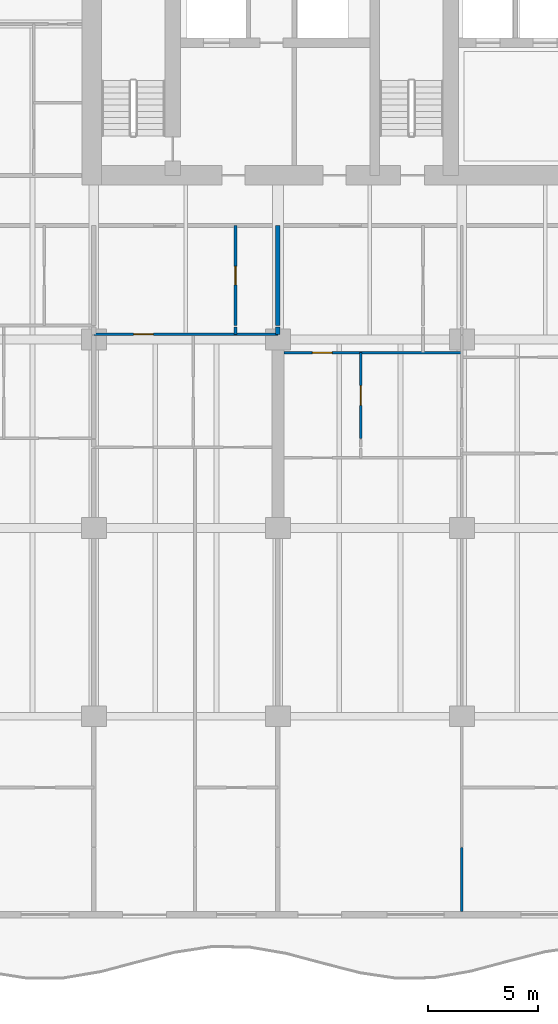
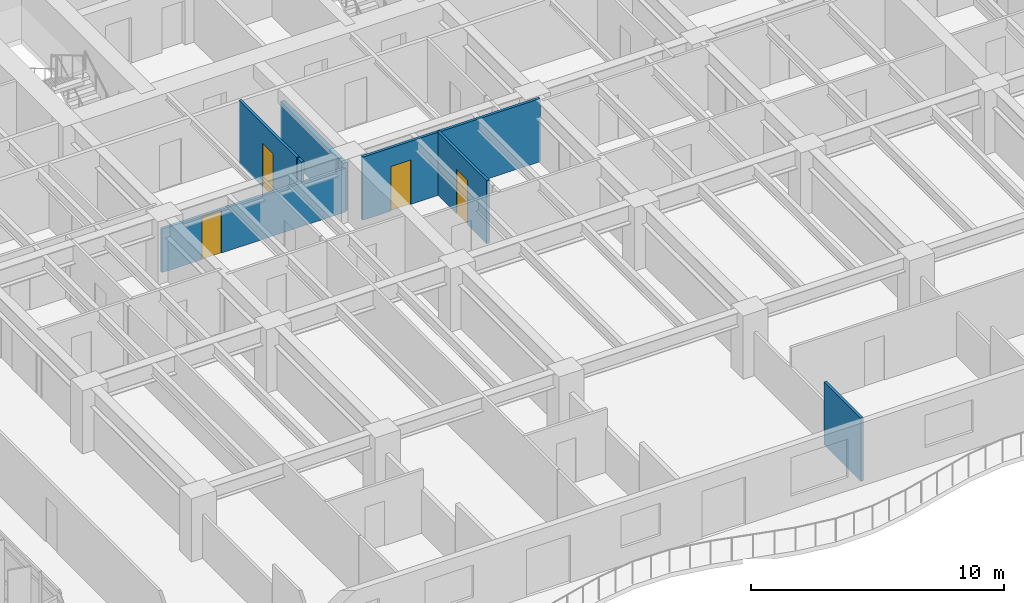
# One storey, part 7 of 17: 8 walls, 4 doors, 4 openings.
"""IFC4 building model written with IfcOpenShell, lengths in metres."""

from ifc_helpers import new_model, si_unit, direction, frame, frame_2d, origin, place, context, subcontext, project, spatial, rectangle, extrude, material, layer, layer_set, type_object, element, fill, save


model = new_model("IFC4")

# Units and contexts
model_context = context("Model", 3, precision=1e-05, world=origin(), true_north=direction((0.0, 1.0)))
body_context = subcontext(model_context, "Body", "Model", "MODEL_VIEW")
ifc_project = project(units=[si_unit("LENGTHUNIT", "METRE"), si_unit("AREAUNIT", "SQUARE_METRE"), si_unit("VOLUMEUNIT", "CUBIC_METRE"), si_unit("PLANEANGLEUNIT", "RADIAN"), si_unit("MASSUNIT", "GRAM", prefix="KILO")], contexts=[model_context])

# Site, building, storey
site_placement = place(None, origin())
site = spatial("IfcSite", under=ifc_project, at=site_placement, CompositionType="ELEMENT")
building_placement = place(site_placement, origin())
building = spatial("IfcBuilding", under=site, at=building_placement, Name="Caelmar Bay Residences", CompositionType="ELEMENT")
storey_placement = place(building_placement, frame((0.0, 0.0, 49.800048828125)))
storey = spatial("IfcBuildingStorey", under=building, at=storey_placement, Name="L12", CompositionType="ELEMENT", Elevation=49.800048828125)

# Wall
ifc_material_1 = material(Name="Acoustic metal-stud gypsum partition 120 mm")
ifc_layer_1 = layer(ifc_material_1, 0.1201171875)
ifc_layer_set_1 = layer_set([ifc_layer_1], Name="Acoustic metal-stud gypsum partition 120 mm")
wall_type_1 = type_object("IfcWallType", Name="W-PRT-120", PredefinedType="PARTITIONING", material=ifc_layer_set_1)
wall_1_placement = place(storey_placement, frame((24.764892578125, 29.639892578125, 0.0), z_axis=(0.0, 0.0, 1.0), x_axis=(0.0, 1.0, 0.0)))
element("IfcWall", 1, at=wall_1_placement, inside=storey, type_object=wall_type_1, Name="L12 Partition Wall V033", PredefinedType="PARTITIONING", context=body_context, shape_type="SweptSolid", body=[
    extrude(rectangle(XDim=0.340087890625, YDim=0.1201171875, at=frame_2d((0.169921875, 0.0))), origin(), (0.0, 0.0, 1.0), 3.050048828125),
])

# Wall, opening, door
wall_2_placement = place(storey_placement, frame((24.764892578125, 30.0400390625, 0.0), z_axis=(0.0, 0.0, 1.0), x_axis=(0.0, 1.0, 0.0)))
wall_2 = element("IfcWall", 2, at=wall_2_placement, inside=storey, type_object=wall_type_1, Name="L12 Partition Wall V034", PredefinedType="PARTITIONING", context=body_context, shape_type="SweptSolid", body=[
    extrude(rectangle(XDim=4.56005859375, YDim=0.1201171875, at=frame_2d((2.280029296875, 0.0))), origin(), (0.0, 0.0, 1.0), 3.050048828125),
])
opening_1_placement = place(wall_2_placement, frame((1.85498046875, 0.0, 0.0)))
opening_1 = element("IfcOpeningElement", 3, at=opening_1_placement, cuts=wall_2, Name="Opening D-L12-128", PredefinedType="OPENING", context=body_context, shape_type="SweptSolid", body=[
    extrude(rectangle(XDim=0.85009765625, YDim=2.10009765625, at=frame_2d((0.425048828125, 1.050048828125))), frame((0.0, 0.070068359375, 0.0), z_axis=(0.0, -1.0, 0.0), x_axis=(1.0, 0.0, 0.0)), (0.0, 0.0, 1.0), 0.14013671875),
])
ifc_material_2 = material(Name="Solid walnut timber interior door leaf and frame", Category="wood")
ifc_layer_2 = layer(ifc_material_2, 0.050048828125)
ifc_layer_set_2 = layer_set([ifc_layer_2], Name="Solid walnut timber interior door leaf and frame")
door_type_1 = type_object("IfcDoorType", Name="D-BATH-850", OperationType="NOTDEFINED", PredefinedType="DOOR", material=ifc_layer_set_2)
door_1_placement = place(opening_1_placement, origin())
door_1 = element("IfcDoor", 4, at=door_1_placement, inside=storey, type_object=door_type_1, Name="L12 Residence 02 Bathroom Door", OperationType="SINGLE_SWING_LEFT", OverallHeight=2.10009765625, OverallWidth=0.85009765625, PredefinedType="DOOR", context=body_context, shape_type="SweptSolid", body=[
    extrude(rectangle(XDim=0.85009765625, YDim=2.10009765625, at=frame_2d((0.425048828125, 1.050048828125))), frame((0.0, 0.02490234375, 0.0), z_axis=(0.0, -1.0, 0.0), x_axis=(1.0, 0.0, 0.0)), (0.0, 0.0, 1.0), 0.050048828125),
])
fill(opening_1, door_1)

wall_3_placement = place(storey_placement, frame((30.47998046875, 24.889892578125, 0.0), z_axis=(0.0, 0.0, 1.0), x_axis=(0.0, 1.0, 0.0)))
wall_3 = element("IfcWall", 5, at=wall_3_placement, inside=storey, type_object=wall_type_1, Name="L12 Partition Wall V044", PredefinedType="PARTITIONING", context=body_context, shape_type="SweptSolid", body=[
    extrude(rectangle(XDim=3.91015625, YDim=0.1201171875, at=frame_2d((1.955078125, 0.0))), origin(), (0.0, 0.0, 1.0), 3.050048828125),
])
opening_2_placement = place(wall_3_placement, frame((1.5048828125, 0.0, 0.0)))
opening_2 = element("IfcOpeningElement", 6, at=opening_2_placement, cuts=wall_3, Name="Opening D-L12-137", PredefinedType="OPENING", context=body_context, shape_type="SweptSolid", body=[
    extrude(rectangle(XDim=0.89990234375, YDim=2.14990234375, at=frame_2d((0.449951171875, 1.074951171875))), frame((0.0, 0.070068359375, 0.0), z_axis=(0.0, -1.0, 0.0), x_axis=(1.0, 0.0, 0.0)), (0.0, 0.0, 1.0), 0.14013671875),
])
ifc_layer_3 = layer(ifc_material_2, 0.050048828125)
ifc_layer_set_3 = layer_set([ifc_layer_3], Name="Solid walnut timber interior door leaf and frame")
door_type_2 = type_object("IfcDoorType", Name="D-ROOM-900", OperationType="NOTDEFINED", PredefinedType="DOOR", material=ifc_layer_set_3)
door_2_placement = place(opening_2_placement, origin())
door_2 = element("IfcDoor", 7, at=door_2_placement, inside=storey, type_object=door_type_2, Name="L12 Residence 03 Kitchen Door", OperationType="SINGLE_SWING_RIGHT", OverallHeight=2.14990234375, OverallWidth=0.89990234375, PredefinedType="DOOR", context=body_context, shape_type="SweptSolid", body=[
    extrude(rectangle(XDim=0.89990234375, YDim=2.14990234375, at=frame_2d((0.449951171875, 1.074951171875))), frame((0.0, 0.02490234375, 0.0), z_axis=(0.0, -1.0, 0.0), x_axis=(1.0, 0.0, 0.0)), (0.0, 0.0, 1.0), 0.050048828125),
])
fill(opening_2, door_2)

# Wall
wall_4_placement = place(storey_placement, frame((35.10009765625, 3.294921875, 0.0), z_axis=(0.0, 0.0, 1.0), x_axis=(0.0, 1.0, 0.0)))
element("IfcWall", 8, at=wall_4_placement, inside=storey, type_object=wall_type_1, Name="L12 Partition Wall V048", PredefinedType="PARTITIONING", context=body_context, shape_type="SweptSolid", body=[
    extrude(rectangle(XDim=2.905029296875, YDim=0.1201171875, at=frame_2d((1.45263671875, 0.0))), origin(), (0.0, 0.0, 1.0), 3.050048828125),
])

# Wall, opening, door
wall_5_placement = place(storey_placement, frame((26.969970703125, 28.800048828125, 0.0), z_axis=(0.0, 0.0, 1.0), x_axis=(1.0, 0.0, 0.0)))
wall_5 = element("IfcWall", 9, at=wall_5_placement, inside=storey, type_object=wall_type_1, Name="L12 Partition Wall H126", PredefinedType="PARTITIONING", context=body_context, shape_type="SweptSolid", body=[
    extrude(rectangle(XDim=8.125, YDim=0.1201171875, at=frame_2d((4.0625, 0.0))), origin(), (0.0, 0.0, 1.0), 3.050048828125),
])
opening_3_placement = place(wall_5_placement, frame((1.304931640625, 0.0, 0.0)))
opening_3 = element("IfcOpeningElement", 10, at=opening_3_placement, cuts=wall_5, Name="Opening D-L12-136", PredefinedType="OPENING", context=body_context, shape_type="SweptSolid", body=[
    extrude(rectangle(XDim=0.89990234375, YDim=2.14990234375, at=frame_2d((0.449951171875, 1.074951171875))), frame((0.0, 0.070068359375, 0.0), z_axis=(0.0, -1.0, 0.0), x_axis=(1.0, 0.0, 0.0)), (0.0, 0.0, 1.0), 0.14013671875),
])
door_3_placement = place(opening_3_placement, origin())
door_3 = element("IfcDoor", 11, at=door_3_placement, inside=storey, type_object=door_type_2, Name="L12 Residence 03 Dining Room Door", OperationType="SINGLE_SWING_LEFT", OverallHeight=2.14990234375, OverallWidth=0.89990234375, PredefinedType="DOOR", context=body_context, shape_type="SweptSolid", body=[
    extrude(rectangle(XDim=0.89990234375, YDim=2.14990234375, at=frame_2d((0.449951171875, 1.074951171875))), frame((0.0, 0.02490234375, 0.0), z_axis=(0.0, -1.0, 0.0), x_axis=(1.0, 0.0, 0.0)), (0.0, 0.0, 1.0), 0.050048828125),
])
fill(opening_3, door_3)

wall_6_placement = place(storey_placement, frame((18.300048828125, 29.639892578125, 0.0), z_axis=(0.0, 0.0, 1.0), x_axis=(1.0, 0.0, 0.0)))
wall_6 = element("IfcWall", 12, at=wall_6_placement, inside=storey, type_object=wall_type_1, Name="L12 Partition Wall H129", PredefinedType="PARTITIONING", context=body_context, shape_type="SweptSolid", body=[
    extrude(rectangle(XDim=8.39990234375, YDim=0.1201171875, at=frame_2d((4.199951171875, 0.0))), origin(), (0.0, 0.0, 1.0), 2.10986328125),
])
opening_4_placement = place(wall_6_placement, frame((1.818115234375, 0.0, 0.0)))
opening_4 = element("IfcOpeningElement", 13, at=opening_4_placement, cuts=wall_6, Name="Opening D-L12-129", PredefinedType="OPENING", context=body_context, shape_type="SweptSolid", body=[
    extrude(rectangle(XDim=0.89990234375, YDim=2.06005859375, at=frame_2d((0.449951171875, 1.030029296875))), frame((0.0, 0.070068359375, 0.0), z_axis=(0.0, -1.0, 0.0), x_axis=(1.0, 0.0, 0.0)), (0.0, 0.0, 1.0), 0.14013671875),
])
door_4_placement = place(opening_4_placement, origin())
door_4 = element("IfcDoor", 14, at=door_4_placement, inside=storey, type_object=door_type_2, Name="L12 Residence 02 Kitchen Door", OperationType="SINGLE_SWING_RIGHT", OverallHeight=2.06005859375, OverallWidth=0.89990234375, PredefinedType="DOOR", context=body_context, shape_type="SweptSolid", body=[
    extrude(rectangle(XDim=0.89990234375, YDim=2.06005859375, at=frame_2d((0.449951171875, 1.030029296875))), frame((0.0, 0.02490234375, 0.0), z_axis=(0.0, -1.0, 0.0), x_axis=(1.0, 0.0, 0.0)), (0.0, 0.0, 1.0), 0.050048828125),
])
fill(opening_4, door_4)

# Walls
ifc_material_3 = material(Name="Acoustic twin-stud fire-rated inter-tenancy partition 200 mm")
ifc_layer_4 = layer(ifc_material_3, 0.199951171875)
ifc_layer_set_4 = layer_set([ifc_layer_4], Name="Acoustic twin-stud fire-rated inter-tenancy partition 200 mm")
wall_type_2 = type_object("IfcWallType", Name="W-PTY-200", PredefinedType="PARTITIONING", material=ifc_layer_set_4)
wall_7_placement = place(storey_placement, frame((26.699951171875, 29.639892578125, 0.0), z_axis=(0.0, 0.0, 1.0), x_axis=(0.0, 1.0, 0.0)))
element("IfcWall", 15, at=wall_7_placement, inside=storey, type_object=wall_type_2, Name="L12 Partition Wall V038", PredefinedType="PARTITIONING", context=body_context, shape_type="SweptSolid", body=[
    extrude(rectangle(XDim=0.340087890625, YDim=0.199951171875, at=frame_2d((0.169921875, 0.0))), origin(), (0.0, 0.0, 1.0), 2.3349609375),
])
wall_8_placement = place(storey_placement, frame((26.699951171875, 30.0400390625, 0.0), z_axis=(0.0, 0.0, 1.0), x_axis=(0.0, 1.0, 0.0)))
element("IfcWall", 16, at=wall_8_placement, inside=storey, type_object=wall_type_2, Name="L12 Partition Wall V039", PredefinedType="PARTITIONING", context=body_context, shape_type="SweptSolid", body=[
    extrude(rectangle(XDim=4.56005859375, YDim=0.199951171875, at=frame_2d((2.280029296875, 0.0))), origin(), (0.0, 0.0, 1.0), 2.3349609375),
])

save(model, "model.ifc")
